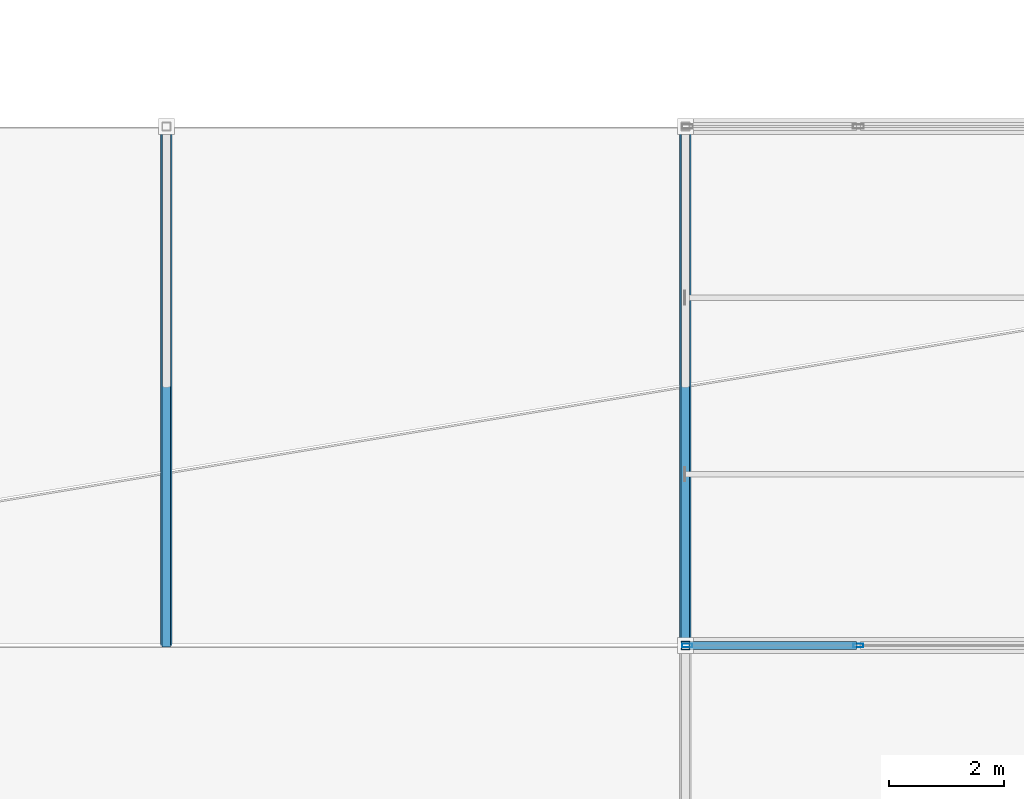
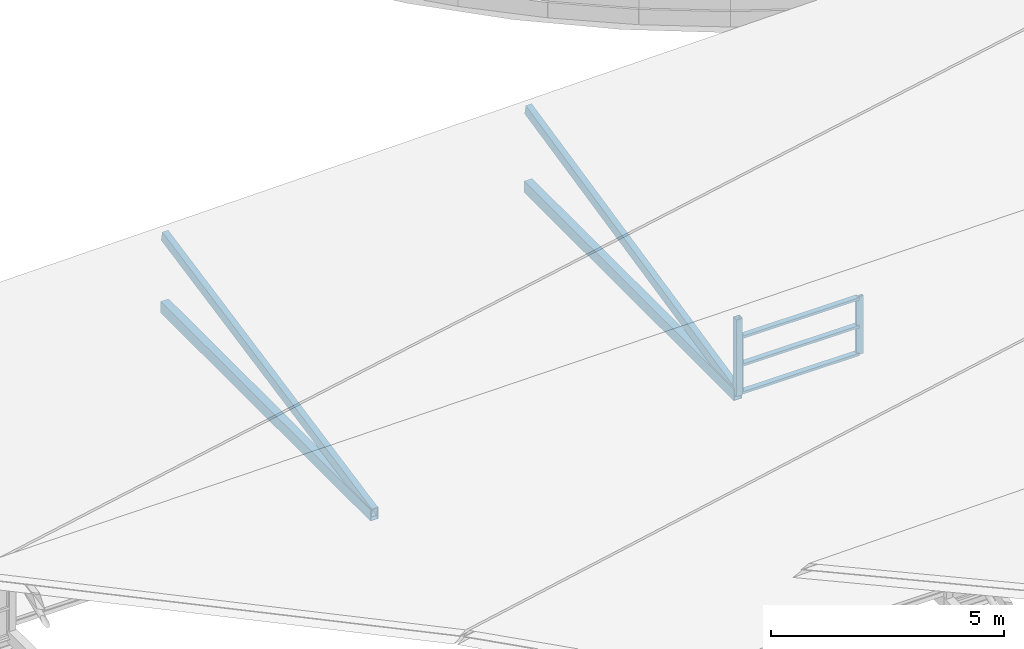
# One storey, part 26 of 103: 10 members, 1 element without a shape of its own.
"""IFC4 building model written with IfcOpenShell, lengths in metres."""

from ifc_helpers import new_model, si_unit, direction, frame, origin, origin_2d, place, context, subcontext, project, spatial, hollow_rectangle, extrude, material, layer, layer_set, material_profile, profile_set, type_object, element, aggregate, save


model = new_model("IFC4")

# Units and contexts
model_context = context("Model", 3, precision=1e-05, world=origin(), true_north=direction((0.0, 1.0)))
body_context = subcontext(model_context, "Body", "Model", "MODEL_VIEW")
ifc_project = project(units=[si_unit("LENGTHUNIT", "METRE"), si_unit("AREAUNIT", "SQUARE_METRE"), si_unit("VOLUMEUNIT", "CUBIC_METRE"), si_unit("PLANEANGLEUNIT", "RADIAN"), si_unit("MASSUNIT", "GRAM", prefix="KILO")], contexts=[model_context])

# Site, building, storey
site_placement = place(None, origin())
site = spatial("IfcSite", under=ifc_project, at=site_placement, CompositionType="ELEMENT")
building_placement = place(site_placement, origin())
building = spatial("IfcBuilding", under=site, at=building_placement, Name="Deido Ridge Mobility Hub", CompositionType="ELEMENT")
storey_placement = place(building_placement, frame((0.0, 0.0, 12.60009765625)))
storey = spatial("IfcBuildingStorey", under=building, at=storey_placement, Name="L03", CompositionType="ELEMENT", Elevation=12.60009765625)

# Members
ifc_material_1 = material(Name="Steel S355J2H EN 10210-1", Category="steel")
ifc_material_profile_1 = material_profile(ifc_material_1, hollow_rectangle(XDim=0.199951171875, YDim=0.300048828125, WallThickness=0.012451171875, at=origin_2d()), Name="RHS 300x200x12.5")
ifc_profile_set_1 = profile_set([ifc_material_profile_1], Name="Steel S355J2H EN 10210-1")
member_type_1 = type_object("IfcMemberType", Name="MEM-CHD-RHS300", PredefinedType="CHORD", material=ifc_profile_set_1)
for number, where, z_axis, x_axis, name in (
    (1, (18.0, 72.0, 0.0), (0.0, 1.0, 0.0), (-1.0, 0.0, 0.0), "Sawtooth bottom chord CH1"),
    (2, (27.0, 72.0, 0.0), (0.0, 1.0, 0.0), (-1.0, 0.0, 0.0), "Sawtooth bottom chord CH1"),
):
    element("IfcMember", number, at=place(storey_placement, frame(where, z_axis=z_axis, x_axis=x_axis)), inside=storey, type_object=member_type_1, Name=name, PredefinedType="CHORD", context=body_context, shape_type="SweptSolid", body=[
        extrude(hollow_rectangle(XDim=0.199951171875, YDim=0.300048828125, WallThickness=0.012451171875, at=origin_2d()), origin(), (0.0, 0.0, 1.0), 9.0),
    ])

# Curtain wall, members
ifc_material_2 = material(Name="Anodised aluminium EN AW-6063 T6", Category="aluminium")
ifc_layer = layer(ifc_material_2, 0.14404296875, Name="Anodised aluminium EN AW-6063 T6")
ifc_layer_set = layer_set([ifc_layer], Name="Anodised aluminium EN AW-6063 T6")
curtain_wall_type = type_object("IfcCurtainWallType", Name="CW-GS-2", PredefinedType="USERDEFINED", material=ifc_layer_set)
curtain_wall_placement = place(storey_placement, origin())
curtain_wall = element("IfcCurtainWall", 3, at=curtain_wall_placement, inside=storey, type_object=curtain_wall_type, Name="Unitised curtain wall GS2", ObjectType="GLAZED SCREEN", PredefinedType="USERDEFINED")
ifc_material_profile_2 = material_profile(ifc_material_2, hollow_rectangle(XDim=0.06494140625, YDim=0.175048828125, WallThickness=0.00390625, at=origin_2d()), Name="RHS 65x175x4")
ifc_profile_set_2 = profile_set([ifc_material_profile_2], Name="Anodised aluminium EN AW-6063 T6")
member_type_2 = type_object("IfcMemberType", Name="MEM-MUL-65X175", PredefinedType="MULLION", material=ifc_profile_set_2)
member_1_placement = place(storey_placement, frame((27.032470703125, 72.0, 0.0), z_axis=(0.0, 0.0, 1.0), x_axis=(0.0, 1.0, 0.0)))
member_1 = element("IfcMember", 4, at=member_1_placement, type_object=member_type_2, Name="GS2 mullion 1", PredefinedType="MULLION", context=body_context, shape_type="SweptSolid", body=[
    extrude(hollow_rectangle(XDim=0.06494140625, YDim=0.175048828125, WallThickness=0.00390625, at=origin_2d()), origin(), (0.0, 0.0, 1.0), 1.52001953125),
])
member_2_placement = place(storey_placement, frame((30.0, 72.0, 0.0), z_axis=(0.0, 0.0, 1.0), x_axis=(0.0, 1.0, 0.0)))
member_2 = element("IfcMember", 5, at=member_2_placement, type_object=member_type_2, Name="GS2 mullion 2", PredefinedType="MULLION", context=body_context, shape_type="SweptSolid", body=[
    extrude(hollow_rectangle(XDim=0.06494140625, YDim=0.175048828125, WallThickness=0.00390625, at=origin_2d()), origin(), (0.0, 0.0, 1.0), 1.52001953125),
])

# Members
ifc_material_profile_3 = material_profile(ifc_material_1, hollow_rectangle(XDim=0.14990234375, YDim=0.14990234375, WallThickness=0.008056640625, at=origin_2d()), Name="SHS 150x150x8")
ifc_profile_set_3 = profile_set([ifc_material_profile_3], Name="Steel S355J2H EN 10210-1")
member_type_3 = type_object("IfcMemberType", Name="MEM-PST-SHS150", PredefinedType="POST", material=ifc_profile_set_3)
member_3_placement = place(storey_placement, frame((27.0, 72.0, 0.0), z_axis=(0.0, 0.0, 1.0), x_axis=(1.0, 0.0, 0.0)))
element("IfcMember", 6, at=member_3_placement, inside=storey, type_object=member_type_3, Name="Sawtooth clerestory post PS1", PredefinedType="POST", context=body_context, shape_type="SweptSolid", body=[
    extrude(hollow_rectangle(XDim=0.14990234375, YDim=0.14990234375, WallThickness=0.008056640625, at=origin_2d()), origin(), (0.0, 0.0, 1.0), 2.0),
])
ifc_material_profile_4 = material_profile(ifc_material_1, hollow_rectangle(XDim=0.14990234375, YDim=0.25, WallThickness=0.010009765625, at=origin_2d()), Name="RHS 250x150x10")
ifc_profile_set_4 = profile_set([ifc_material_profile_4], Name="Steel S355J2H EN 10210-1")
member_type_4 = type_object("IfcMemberType", Name="MEM-RAF-RHS250", PredefinedType="RAFTER", material=ifc_profile_set_4)
member_4_placement = place(storey_placement, frame((18.0, 72.0, 0.0498046875), z_axis=(0.0, 0.980579652604, 0.196121250506), x_axis=(-1.0, 0.0, 0.0)))
element("IfcMember", 7, at=member_4_placement, inside=storey, type_object=member_type_4, Name="Sawtooth sloped rafter RF1", PredefinedType="RAFTER", context=body_context, shape_type="SweptSolid", body=[
    extrude(hollow_rectangle(XDim=0.14990234375, YDim=0.25, WallThickness=0.010009765625, at=origin_2d()), origin(), (0.0, 0.0, 1.0), 9.17822265625),
])
member_5_placement = place(storey_placement, frame((27.0, 72.0, 0.0498046875), z_axis=(0.0, 0.977093280682, 0.212811467844), x_axis=(-1.0, 0.0, 0.0)))
element("IfcMember", 8, at=member_5_placement, inside=storey, type_object=member_type_4, Name="Sawtooth sloped rafter RF1", PredefinedType="RAFTER", context=body_context, shape_type="SweptSolid", body=[
    extrude(hollow_rectangle(XDim=0.14990234375, YDim=0.25, WallThickness=0.010009765625, at=origin_2d()), origin(), (0.0, 0.0, 1.0), 9.2109375),
])

# Member
ifc_material_profile_5 = material_profile(ifc_material_2, hollow_rectangle(XDim=0.135009765625, YDim=0.06494140625, WallThickness=0.00390625, at=origin_2d()), Name="RHS 135x65x4")
ifc_profile_set_5 = profile_set([ifc_material_profile_5], Name="Anodised aluminium EN AW-6063 T6")
member_type_5 = type_object("IfcMemberType", Name="MEM-TRN-135X65", PredefinedType="USERDEFINED", material=ifc_profile_set_5)
member_6_placement = place(storey_placement, frame((27.06494140625, 72.0, 0.032470703125), z_axis=(1.0, 0.0, 0.0), x_axis=(0.0, 1.0, 0.0)))
member_6 = element("IfcMember", 9, at=member_6_placement, type_object=member_type_5, Name="GS2 transom 1.1", ObjectType="TRANSOM", PredefinedType="USERDEFINED", context=body_context, shape_type="SweptSolid", body=[
    extrude(hollow_rectangle(XDim=0.135009765625, YDim=0.06494140625, WallThickness=0.00390625, at=origin_2d()), origin(), (0.0, 0.0, 1.0), 2.902587890625),
])

member_7_placement = place(storey_placement, frame((27.06494140625, 72.0, 0.760009765625), z_axis=(1.0, 0.0, 0.0), x_axis=(0.0, 1.0, 0.0)))
member_7 = element("IfcMember", 10, at=member_7_placement, type_object=member_type_5, Name="GS2 transom 1.2", ObjectType="TRANSOM", PredefinedType="USERDEFINED", context=body_context, shape_type="SweptSolid", body=[
    extrude(hollow_rectangle(XDim=0.135009765625, YDim=0.06494140625, WallThickness=0.00390625, at=origin_2d()), origin(), (0.0, 0.0, 1.0), 2.902587890625),
])

member_8_placement = place(storey_placement, frame((27.06494140625, 72.0, 1.4873046875), z_axis=(1.0, 0.0, 0.0), x_axis=(0.0, 1.0, 0.0)))
member_8 = element("IfcMember", 11, at=member_8_placement, type_object=member_type_5, Name="GS2 transom 1.3", ObjectType="TRANSOM", PredefinedType="USERDEFINED", context=body_context, shape_type="SweptSolid", body=[
    extrude(hollow_rectangle(XDim=0.135009765625, YDim=0.06494140625, WallThickness=0.00390625, at=origin_2d()), origin(), (0.0, 0.0, 1.0), 2.902587890625),
])

aggregate(curtain_wall, [member_1, member_2, member_6, member_7, member_8])

save(model, "model.ifc")
